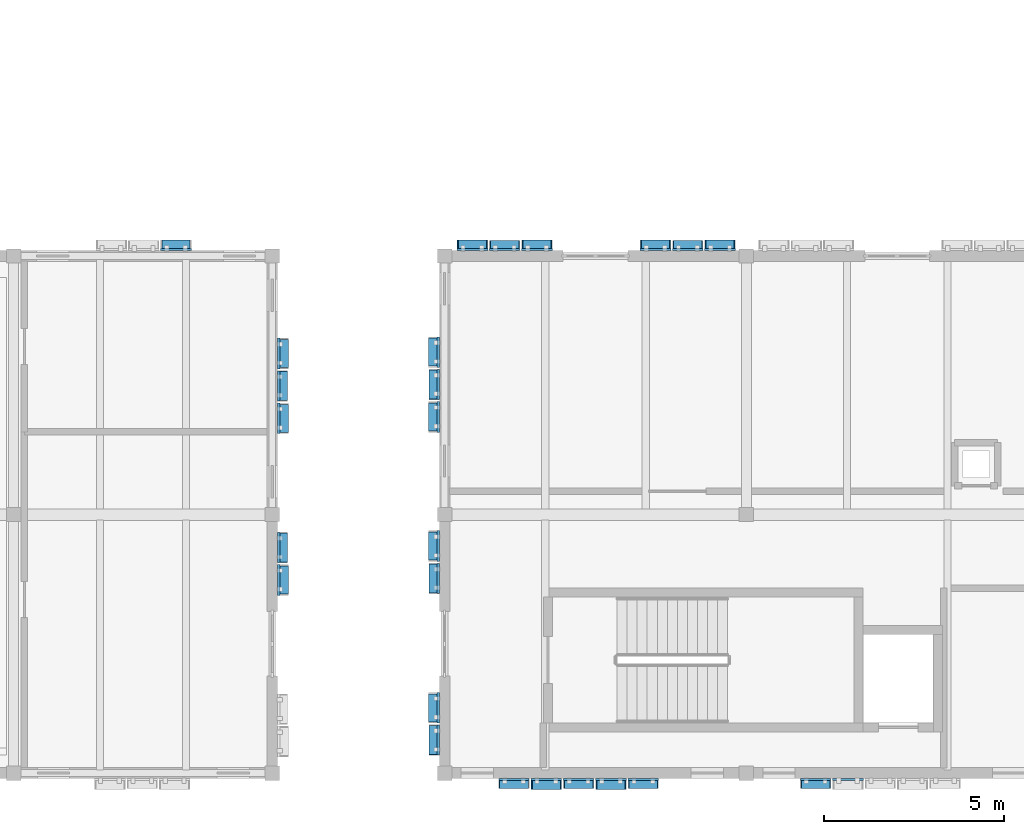
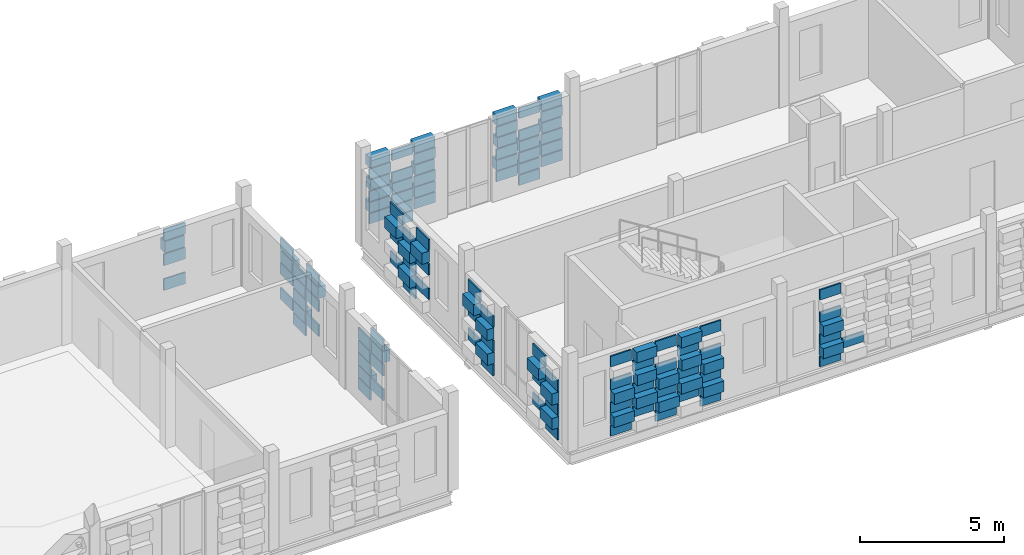
# One storey, part 47 of 81: 130 plates.
"""IFC4 building model written with IfcOpenShell, lengths in metres."""

from ifc_helpers import new_model, si_unit, direction, frame, origin, origin_2d, place, context, subcontext, project, spatial, rectangle, extrude, material, layer, layer_set, type_object, element, save


model = new_model("IFC4")

# Units and contexts
model_context = context("Model", 3, precision=1e-05, world=origin(), true_north=direction((0.0, 1.0)))
body_context = subcontext(model_context, "Body", "Model", "MODEL_VIEW")
ifc_project = project(units=[si_unit("LENGTHUNIT", "METRE"), si_unit("AREAUNIT", "SQUARE_METRE"), si_unit("VOLUMEUNIT", "CUBIC_METRE"), si_unit("PLANEANGLEUNIT", "RADIAN"), si_unit("MASSUNIT", "GRAM", prefix="KILO")], contexts=[model_context])

# Site, building, storey
site_placement = place(None, origin())
site = spatial("IfcSite", under=ifc_project, at=site_placement, CompositionType="ELEMENT")
building_placement = place(site_placement, origin())
building = spatial("IfcBuilding", under=site, at=building_placement, Name="Kahlenmark Community Centre", CompositionType="ELEMENT")
storey_placement = place(building_placement, frame((0.0, 0.0, 9.60009765625)))
storey = spatial("IfcBuildingStorey", under=building, at=storey_placement, Name="L02", CompositionType="ELEMENT", Elevation=9.60009765625)

# Plates
ifc_material_1 = material(Name="Extruded warm terracotta recessed weave tile", Category="masonry")
ifc_layer_1 = layer(ifc_material_1, 0.06005859375)
ifc_layer_set_1 = layer_set([ifc_layer_1], Name="Extruded warm terracotta recessed weave tile")
plate_type_1 = type_object("IfcPlateType", Name="PLT-TC-TC-R10-840X60X433", PredefinedType="SHEET", material=ifc_layer_set_1)
for number, where, z_axis, x_axis, name in (
    (1, (101.929931640625, 8.6201171875, 0.099853515625), (0.0, 0.0, 1.0), (1.0, 0.0, 0.0), "Basketweave terracotta cassette 3102"),
    (2, (101.929931640625, 8.6201171875, 1.0458984375), (0.0, 0.0, 1.0), (1.0, 0.0, 0.0), "Basketweave terracotta cassette 3104"),
    (3, (101.929931640625, 8.6201171875, 1.991943359375), (0.0, 0.0, 1.0), (1.0, 0.0, 0.0), "Basketweave terracotta cassette 3106"),
    (4, (101.929931640625, 8.6201171875, 2.937744140625), (0.0, 0.0, 1.0), (1.0, 0.0, 0.0), "Basketweave terracotta cassette 3108"),
    (5, (98.3701171875, 23.3798828125, 0.099853515625), (0.0, 0.0, 1.0), (-1.0, 0.0, 0.0), "Basketweave terracotta cassette 3186"),
    (6, (98.3701171875, 23.3798828125, 1.0458984375), (0.0, 0.0, 1.0), (-1.0, 0.0, 0.0), "Basketweave terracotta cassette 3188"),
    (7, (98.3701171875, 23.3798828125, 1.991943359375), (0.0, 0.0, 1.0), (-1.0, 0.0, 0.0), "Basketweave terracotta cassette 3190"),
    (8, (98.3701171875, 23.3798828125, 2.937744140625), (0.0, 0.0, 1.0), (-1.0, 0.0, 0.0), "Basketweave terracotta cassette 3192"),
    (9, (93.27001953125, 23.3798828125, 0.099853515625), (0.0, 0.0, 1.0), (-1.0, 0.0, 0.0), "Basketweave terracotta cassette 3207"),
    (10, (93.27001953125, 23.3798828125, 1.0458984375), (0.0, 0.0, 1.0), (-1.0, 0.0, 0.0), "Basketweave terracotta cassette 3209"),
    (11, (93.27001953125, 23.3798828125, 1.991943359375), (0.0, 0.0, 1.0), (-1.0, 0.0, 0.0), "Basketweave terracotta cassette 3211"),
    (12, (93.27001953125, 23.3798828125, 2.937744140625), (0.0, 0.0, 1.0), (-1.0, 0.0, 0.0), "Basketweave terracotta cassette 3213"),
):
    element("IfcPlate", number, at=place(storey_placement, frame(where, z_axis=z_axis, x_axis=x_axis)), inside=storey, type_object=plate_type_1, Name=name, PredefinedType="SHEET", context=body_context, shape_type="SweptSolid", body=[
        extrude(rectangle(XDim=0.840087890625, YDim=0.06005859375, at=origin_2d()), origin(), (0.0, 0.0, 1.0), 0.43310546875),
    ])
ifc_layer_2 = layer(ifc_material_1, 0.06005859375)
ifc_layer_set_2 = layer_set([ifc_layer_2], Name="Extruded warm terracotta recessed weave tile")
plate_type_2 = type_object("IfcPlateType", Name="PLT-TC-TC-R10-840X60X450", PredefinedType="SHEET", material=ifc_layer_set_2)
for number, where, z_axis, x_axis, name in (
    (13, (93.530029296875, 8.6201171875, 0.10009765625), (0.0, 0.0, 1.0), (1.0, 0.0, 0.0), "Basketweave terracotta cassette 3067"),
    (14, (93.530029296875, 8.6201171875, 1.080078125), (0.0, 0.0, 1.0), (1.0, 0.0, 0.0), "Basketweave terracotta cassette 3069"),
    (15, (93.530029296875, 8.6201171875, 2.06005859375), (0.0, 0.0, 1.0), (1.0, 0.0, 0.0), "Basketweave terracotta cassette 3071"),
    (16, (93.530029296875, 8.6201171875, 3.0400390625), (0.0, 0.0, 1.0), (1.0, 0.0, 0.0), "Basketweave terracotta cassette 3073"),
    (17, (95.330078125, 8.6201171875, 0.10009765625), (0.0, 0.0, 1.0), (1.0, 0.0, 0.0), "Basketweave terracotta cassette 3081"),
    (18, (95.330078125, 8.6201171875, 1.080078125), (0.0, 0.0, 1.0), (1.0, 0.0, 0.0), "Basketweave terracotta cassette 3083"),
    (19, (95.330078125, 8.6201171875, 2.06005859375), (0.0, 0.0, 1.0), (1.0, 0.0, 0.0), "Basketweave terracotta cassette 3085"),
    (20, (95.330078125, 8.6201171875, 3.0400390625), (0.0, 0.0, 1.0), (1.0, 0.0, 0.0), "Basketweave terracotta cassette 3087"),
    (21, (97.1298828125, 8.6201171875, 0.10009765625), (0.0, 0.0, 1.0), (1.0, 0.0, 0.0), "Basketweave terracotta cassette 3095"),
    (22, (97.1298828125, 8.6201171875, 1.080078125), (0.0, 0.0, 1.0), (1.0, 0.0, 0.0), "Basketweave terracotta cassette 3097"),
    (23, (97.1298828125, 8.6201171875, 2.06005859375), (0.0, 0.0, 1.0), (1.0, 0.0, 0.0), "Basketweave terracotta cassette 3099"),
    (24, (97.1298828125, 8.6201171875, 3.0400390625), (0.0, 0.0, 1.0), (1.0, 0.0, 0.0), "Basketweave terracotta cassette 3101"),
):
    element("IfcPlate", number, at=place(storey_placement, frame(where, z_axis=z_axis, x_axis=x_axis)), inside=storey, type_object=plate_type_2, Name=name, PredefinedType="SHEET", context=body_context, shape_type="SweptSolid", body=[
        extrude(rectangle(XDim=0.840087890625, YDim=0.06005859375, at=origin_2d()), origin(), (0.0, 0.0, 1.0), 0.449951171875),
    ])
ifc_layer_3 = layer(ifc_material_1, 0.06005859375)
ifc_layer_set_3 = layer_set([ifc_layer_3], Name="Extruded warm terracotta recessed weave tile")
plate_type_3 = type_object("IfcPlateType", Name="PLT-TC-TC-R10-840X60X478", PredefinedType="SHEET", material=ifc_layer_set_3)
for number, where, z_axis, x_axis, name in (
    (25, (91.419921875, 14.219970703125, 0.099853515625), (0.0, 0.0, 1.0), (0.0, -1.0, 0.0), "Basketweave terracotta cassette 3304"),
    (26, (91.419921875, 14.219970703125, 1.135986328125), (0.0, 0.0, 1.0), (0.0, -1.0, 0.0), "Basketweave terracotta cassette 3306"),
    (27, (91.419921875, 14.219970703125, 2.171875), (0.0, 0.0, 1.0), (0.0, -1.0, 0.0), "Basketweave terracotta cassette 3308"),
    (28, (91.419921875, 9.719970703125, 0.099853515625), (0.0, 0.0, 1.0), (0.0, -1.0, 0.0), "Basketweave terracotta cassette 3316"),
    (29, (91.419921875, 9.719970703125, 1.135986328125), (0.0, 0.0, 1.0), (0.0, -1.0, 0.0), "Basketweave terracotta cassette 3318"),
    (30, (91.419921875, 9.719970703125, 2.171875), (0.0, 0.0, 1.0), (0.0, -1.0, 0.0), "Basketweave terracotta cassette 3320"),
    (31, (91.419921875, 19.6201171875, 0.099853515625), (0.0, 0.0, 1.0), (0.0, -1.0, 0.0), "Basketweave terracotta cassette 3328"),
    (32, (91.419921875, 19.6201171875, 1.135986328125), (0.0, 0.0, 1.0), (0.0, -1.0, 0.0), "Basketweave terracotta cassette 3330"),
    (33, (91.419921875, 19.6201171875, 2.171875), (0.0, 0.0, 1.0), (0.0, -1.0, 0.0), "Basketweave terracotta cassette 3332"),
):
    element("IfcPlate", number, at=place(storey_placement, frame(where, z_axis=z_axis, x_axis=x_axis)), inside=storey, type_object=plate_type_3, Name=name, PredefinedType="SHEET", context=body_context, shape_type="SweptSolid", body=[
        extrude(rectangle(XDim=0.840087890625, YDim=0.06005859375, at=origin_2d()), origin(), (0.0, 0.0, 1.0), 0.47802734375),
    ])
ifc_layer_4 = layer(ifc_material_1, 0.06005859375)
ifc_layer_set_4 = layer_set([ifc_layer_4], Name="Extruded warm terracotta recessed weave tile")
plate_type_4 = type_object("IfcPlateType", Name="PLT-TC-TC-R10-840X60X488", PredefinedType="SHEET", material=ifc_layer_set_4)
for number, where, z_axis, x_axis, name in (
    (34, (86.97998046875, 15.080078125, 0.10009765625), (0.0, 0.0, 1.0), (0.0, 1.0, 0.0), "Basketweave terracotta cassette 3043"),
    (35, (86.97998046875, 15.080078125, 1.15576171875), (0.0, 0.0, 1.0), (0.0, 1.0, 0.0), "Basketweave terracotta cassette 3045"),
    (36, (86.97998046875, 15.080078125, 2.2119140625), (0.0, 0.0, 1.0), (0.0, 1.0, 0.0), "Basketweave terracotta cassette 3047"),
    (37, (86.97998046875, 19.580078125, 0.10009765625), (0.0, 0.0, 1.0), (0.0, 1.0, 0.0), "Basketweave terracotta cassette 3055"),
    (38, (86.97998046875, 19.580078125, 1.15576171875), (0.0, 0.0, 1.0), (0.0, 1.0, 0.0), "Basketweave terracotta cassette 3057"),
    (39, (86.97998046875, 19.580078125, 2.2119140625), (0.0, 0.0, 1.0), (0.0, 1.0, 0.0), "Basketweave terracotta cassette 3059"),
):
    element("IfcPlate", number, at=place(storey_placement, frame(where, z_axis=z_axis, x_axis=x_axis)), inside=storey, type_object=plate_type_4, Name=name, PredefinedType="SHEET", context=body_context, shape_type="SweptSolid", body=[
        extrude(rectangle(XDim=0.840087890625, YDim=0.06005859375, at=origin_2d()), origin(), (0.0, 0.0, 1.0), 0.488037109375),
    ])
ifc_layer_5 = layer(ifc_material_1, 0.06005859375)
ifc_layer_set_5 = layer_set([ifc_layer_5], Name="Extruded warm terracotta recessed weave tile")
plate_type_5 = type_object("IfcPlateType", Name="PLT-TC-TC-R10-860X60X433", PredefinedType="SHEET", material=ifc_layer_set_5)
for number, where, z_axis, x_axis, name in (
    (40, (102.830078125, 8.6201171875, 0.57275390625), (0.0, 0.0, 1.0), (1.0, 0.0, 0.0), "Basketweave terracotta cassette 3110"),
    (41, (99.27001953125, 23.3798828125, 0.57275390625), (0.0, 0.0, 1.0), (-1.0, 0.0, 0.0), "Basketweave terracotta cassette 3180"),
    (42, (99.27001953125, 23.3798828125, 1.518798828125), (0.0, 0.0, 1.0), (-1.0, 0.0, 0.0), "Basketweave terracotta cassette 3182"),
    (43, (99.27001953125, 23.3798828125, 2.46484375), (0.0, 0.0, 1.0), (-1.0, 0.0, 0.0), "Basketweave terracotta cassette 3184"),
    (44, (97.469970703125, 23.3798828125, 0.57275390625), (0.0, 0.0, 1.0), (-1.0, 0.0, 0.0), "Basketweave terracotta cassette 3194"),
    (45, (97.469970703125, 23.3798828125, 1.518798828125), (0.0, 0.0, 1.0), (-1.0, 0.0, 0.0), "Basketweave terracotta cassette 3196"),
    (46, (97.469970703125, 23.3798828125, 2.46484375), (0.0, 0.0, 1.0), (-1.0, 0.0, 0.0), "Basketweave terracotta cassette 3198"),
    (47, (94.169921875, 23.3798828125, 0.57275390625), (0.0, 0.0, 1.0), (-1.0, 0.0, 0.0), "Basketweave terracotta cassette 3201"),
    (48, (94.169921875, 23.3798828125, 1.518798828125), (0.0, 0.0, 1.0), (-1.0, 0.0, 0.0), "Basketweave terracotta cassette 3203"),
    (49, (94.169921875, 23.3798828125, 2.46484375), (0.0, 0.0, 1.0), (-1.0, 0.0, 0.0), "Basketweave terracotta cassette 3205"),
    (50, (92.3701171875, 23.3798828125, 0.57275390625), (0.0, 0.0, 1.0), (-1.0, 0.0, 0.0), "Basketweave terracotta cassette 3215"),
    (51, (92.3701171875, 23.3798828125, 1.518798828125), (0.0, 0.0, 1.0), (-1.0, 0.0, 0.0), "Basketweave terracotta cassette 3217"),
    (52, (92.3701171875, 23.3798828125, 2.46484375), (0.0, 0.0, 1.0), (-1.0, 0.0, 0.0), "Basketweave terracotta cassette 3219"),
):
    element("IfcPlate", number, at=place(storey_placement, frame(where, z_axis=z_axis, x_axis=x_axis)), inside=storey, type_object=plate_type_5, Name=name, PredefinedType="SHEET", context=body_context, shape_type="SweptSolid", body=[
        extrude(rectangle(XDim=0.860107421875, YDim=0.06005859375, at=origin_2d()), origin(), (0.0, 0.0, 1.0), 0.43310546875),
    ])
ifc_layer_6 = layer(ifc_material_1, 0.06005859375)
ifc_layer_set_6 = layer_set([ifc_layer_6], Name="Extruded warm terracotta recessed weave tile")
plate_type_6 = type_object("IfcPlateType", Name="PLT-TC-TC-R10-860X60X450", PredefinedType="SHEET", material=ifc_layer_set_6)
for number, where, z_axis, x_axis, name in (
    (53, (94.429931640625, 8.6201171875, 0.58984375), (0.0, 0.0, 1.0), (1.0, 0.0, 0.0), "Basketweave terracotta cassette 3075"),
    (54, (94.429931640625, 8.6201171875, 1.56982421875), (0.0, 0.0, 1.0), (1.0, 0.0, 0.0), "Basketweave terracotta cassette 3077"),
    (55, (94.429931640625, 8.6201171875, 2.5498046875), (0.0, 0.0, 1.0), (1.0, 0.0, 0.0), "Basketweave terracotta cassette 3079"),
    (56, (96.22998046875, 8.6201171875, 0.58984375), (0.0, 0.0, 1.0), (1.0, 0.0, 0.0), "Basketweave terracotta cassette 3089"),
    (57, (96.22998046875, 8.6201171875, 1.56982421875), (0.0, 0.0, 1.0), (1.0, 0.0, 0.0), "Basketweave terracotta cassette 3091"),
    (58, (96.22998046875, 8.6201171875, 2.5498046875), (0.0, 0.0, 1.0), (1.0, 0.0, 0.0), "Basketweave terracotta cassette 3093"),
):
    element("IfcPlate", number, at=place(storey_placement, frame(where, z_axis=z_axis, x_axis=x_axis)), inside=storey, type_object=plate_type_6, Name=name, PredefinedType="SHEET", context=body_context, shape_type="SweptSolid", body=[
        extrude(rectangle(XDim=0.860107421875, YDim=0.06005859375, at=origin_2d()), origin(), (0.0, 0.0, 1.0), 0.449951171875),
    ])
ifc_layer_7 = layer(ifc_material_1, 0.06005859375)
ifc_layer_set_7 = layer_set([ifc_layer_7], Name="Extruded warm terracotta recessed weave tile")
plate_type_7 = type_object("IfcPlateType", Name="PLT-TC-TC-R10-860X60X478", PredefinedType="SHEET", material=ifc_layer_set_7)
for number, where, z_axis, x_axis, name in (
    (59, (91.419921875, 15.1201171875, 0.617919921875), (0.0, 0.0, 1.0), (0.0, -1.0, 0.0), "Basketweave terracotta cassette 3299"),
    (60, (91.419921875, 15.1201171875, 1.65380859375), (0.0, 0.0, 1.0), (0.0, -1.0, 0.0), "Basketweave terracotta cassette 3301"),
    (61, (91.419921875, 15.1201171875, 2.68994140625), (0.0, 0.0, 1.0), (0.0, -1.0, 0.0), "Basketweave terracotta cassette 3303"),
    (62, (91.419921875, 10.6201171875, 0.617919921875), (0.0, 0.0, 1.0), (0.0, -1.0, 0.0), "Basketweave terracotta cassette 3311"),
    (63, (91.419921875, 10.6201171875, 1.65380859375), (0.0, 0.0, 1.0), (0.0, -1.0, 0.0), "Basketweave terracotta cassette 3313"),
    (64, (91.419921875, 10.6201171875, 2.68994140625), (0.0, 0.0, 1.0), (0.0, -1.0, 0.0), "Basketweave terracotta cassette 3315"),
    (65, (91.419921875, 20.52001953125, 0.617919921875), (0.0, 0.0, 1.0), (0.0, -1.0, 0.0), "Basketweave terracotta cassette 3323"),
    (66, (91.419921875, 20.52001953125, 1.65380859375), (0.0, 0.0, 1.0), (0.0, -1.0, 0.0), "Basketweave terracotta cassette 3325"),
    (67, (91.419921875, 20.52001953125, 2.68994140625), (0.0, 0.0, 1.0), (0.0, -1.0, 0.0), "Basketweave terracotta cassette 3327"),
    (68, (91.419921875, 18.719970703125, 0.617919921875), (0.0, 0.0, 1.0), (0.0, -1.0, 0.0), "Basketweave terracotta cassette 3335"),
    (69, (91.419921875, 18.719970703125, 1.65380859375), (0.0, 0.0, 1.0), (0.0, -1.0, 0.0), "Basketweave terracotta cassette 3337"),
    (70, (91.419921875, 18.719970703125, 2.68994140625), (0.0, 0.0, 1.0), (0.0, -1.0, 0.0), "Basketweave terracotta cassette 3339"),
):
    element("IfcPlate", number, at=place(storey_placement, frame(where, z_axis=z_axis, x_axis=x_axis)), inside=storey, type_object=plate_type_7, Name=name, PredefinedType="SHEET", context=body_context, shape_type="SweptSolid", body=[
        extrude(rectangle(XDim=0.860107421875, YDim=0.06005859375, at=origin_2d()), origin(), (0.0, 0.0, 1.0), 0.47802734375),
    ])
ifc_layer_8 = layer(ifc_material_1, 0.06005859375)
ifc_layer_set_8 = layer_set([ifc_layer_8], Name="Extruded warm terracotta recessed weave tile")
plate_type_8 = type_object("IfcPlateType", Name="PLT-TC-TC-R10-860X60X488", PredefinedType="SHEET", material=ifc_layer_set_8)
for number, where, z_axis, x_axis, name in (
    (71, (84.1201171875, 23.3798828125, 0.6279296875), (0.0, 0.0, 1.0), (-1.0, 0.0, 0.0), "Basketweave terracotta cassette 2966"),
    (72, (84.1201171875, 23.3798828125, 1.68408203125), (0.0, 0.0, 1.0), (-1.0, 0.0, 0.0), "Basketweave terracotta cassette 2968"),
    (73, (84.1201171875, 23.3798828125, 2.73974609375), (0.0, 0.0, 1.0), (-1.0, 0.0, 0.0), "Basketweave terracotta cassette 2970"),
    (74, (86.97998046875, 14.179931640625, 0.6279296875), (0.0, 0.0, 1.0), (0.0, 1.0, 0.0), "Basketweave terracotta cassette 3038"),
    (75, (86.97998046875, 14.179931640625, 1.68408203125), (0.0, 0.0, 1.0), (0.0, 1.0, 0.0), "Basketweave terracotta cassette 3040"),
    (76, (86.97998046875, 14.179931640625, 2.73974609375), (0.0, 0.0, 1.0), (0.0, 1.0, 0.0), "Basketweave terracotta cassette 3042"),
    (77, (86.97998046875, 18.679931640625, 0.6279296875), (0.0, 0.0, 1.0), (0.0, 1.0, 0.0), "Basketweave terracotta cassette 3050"),
    (78, (86.97998046875, 18.679931640625, 1.68408203125), (0.0, 0.0, 1.0), (0.0, 1.0, 0.0), "Basketweave terracotta cassette 3052"),
    (79, (86.97998046875, 18.679931640625, 2.73974609375), (0.0, 0.0, 1.0), (0.0, 1.0, 0.0), "Basketweave terracotta cassette 3054"),
    (80, (86.97998046875, 20.47998046875, 0.6279296875), (0.0, 0.0, 1.0), (0.0, 1.0, 0.0), "Basketweave terracotta cassette 3062"),
    (81, (86.97998046875, 20.47998046875, 1.68408203125), (0.0, 0.0, 1.0), (0.0, 1.0, 0.0), "Basketweave terracotta cassette 3064"),
    (82, (86.97998046875, 20.47998046875, 2.73974609375), (0.0, 0.0, 1.0), (0.0, 1.0, 0.0), "Basketweave terracotta cassette 3066"),
):
    element("IfcPlate", number, at=place(storey_placement, frame(where, z_axis=z_axis, x_axis=x_axis)), inside=storey, type_object=plate_type_8, Name=name, PredefinedType="SHEET", context=body_context, shape_type="SweptSolid", body=[
        extrude(rectangle(XDim=0.860107421875, YDim=0.06005859375, at=origin_2d()), origin(), (0.0, 0.0, 1.0), 0.488037109375),
    ])
ifc_material_2 = material(Name="Extruded glazed terracotta weave cassette", Category="masonry")
ifc_layer_9 = layer(ifc_material_2, 0.300048828125)
ifc_layer_set_9 = layer_set([ifc_layer_9], Name="Extruded glazed terracotta weave cassette")
plate_type_9 = type_object("IfcPlateType", Name="PLT-TC-TC-R34-780X300X433", PredefinedType="SHEET", material=ifc_layer_set_9)
for number, where, z_axis, x_axis, name in (
    (83, (99.27001953125, 23.5, 1.991943359375), (0.0, 0.0, 1.0), (-1.0, 0.0, 0.0), "Basketweave terracotta cassette 3183"),
    (84, (97.469970703125, 23.5, 1.991943359375), (0.0, 0.0, 1.0), (-1.0, 0.0, 0.0), "Basketweave terracotta cassette 3197"),
    (85, (94.169921875, 23.5, 1.991943359375), (0.0, 0.0, 1.0), (-1.0, 0.0, 0.0), "Basketweave terracotta cassette 3204"),
    (86, (92.3701171875, 23.5, 1.991943359375), (0.0, 0.0, 1.0), (-1.0, 0.0, 0.0), "Basketweave terracotta cassette 3218"),
):
    element("IfcPlate", number, at=place(storey_placement, frame(where, z_axis=z_axis, x_axis=x_axis)), inside=storey, type_object=plate_type_9, Name=name, PredefinedType="SHEET", context=body_context, shape_type="SweptSolid", body=[
        extrude(rectangle(XDim=0.780029296875, YDim=0.300048828125, at=origin_2d()), origin(), (0.0, 0.0, 1.0), 0.43310546875),
    ])
ifc_layer_10 = layer(ifc_material_2, 0.300048828125)
ifc_layer_set_10 = layer_set([ifc_layer_10], Name="Extruded glazed terracotta weave cassette")
plate_type_10 = type_object("IfcPlateType", Name="PLT-TC-TC-R34-780X300X450", PredefinedType="SHEET", material=ifc_layer_set_10)
for number, where, z_axis, x_axis, name in (
    (87, (94.429931640625, 8.5, 2.06005859375), (0.0, 0.0, 1.0), (1.0, 0.0, 0.0), "Basketweave terracotta cassette 3078"),
    (88, (96.22998046875, 8.5, 2.06005859375), (0.0, 0.0, 1.0), (1.0, 0.0, 0.0), "Basketweave terracotta cassette 3092"),
):
    element("IfcPlate", number, at=place(storey_placement, frame(where, z_axis=z_axis, x_axis=x_axis)), inside=storey, type_object=plate_type_10, Name=name, PredefinedType="SHEET", context=body_context, shape_type="SweptSolid", body=[
        extrude(rectangle(XDim=0.780029296875, YDim=0.300048828125, at=origin_2d()), origin(), (0.0, 0.0, 1.0), 0.449951171875),
    ])
ifc_layer_11 = layer(ifc_material_2, 0.300048828125)
ifc_layer_set_11 = layer_set([ifc_layer_11], Name="Extruded glazed terracotta weave cassette")
plate_type_11 = type_object("IfcPlateType", Name="PLT-TC-TC-R34-780X300X478", PredefinedType="SHEET", material=ifc_layer_set_11)
for number, where, z_axis, x_axis, name in (
    (89, (91.300048828125, 15.1201171875, 2.171875), (0.0, 0.0, 1.0), (0.0, -1.0, 0.0), "Basketweave terracotta cassette 3302"),
    (90, (91.300048828125, 10.6201171875, 2.171875), (0.0, 0.0, 1.0), (0.0, -1.0, 0.0), "Basketweave terracotta cassette 3314"),
    (91, (91.300048828125, 20.52001953125, 2.171875), (0.0, 0.0, 1.0), (0.0, -1.0, 0.0), "Basketweave terracotta cassette 3326"),
    (92, (91.300048828125, 18.719970703125, 2.171875), (0.0, 0.0, 1.0), (0.0, -1.0, 0.0), "Basketweave terracotta cassette 3338"),
):
    element("IfcPlate", number, at=place(storey_placement, frame(where, z_axis=z_axis, x_axis=x_axis)), inside=storey, type_object=plate_type_11, Name=name, PredefinedType="SHEET", context=body_context, shape_type="SweptSolid", body=[
        extrude(rectangle(XDim=0.780029296875, YDim=0.300048828125, at=origin_2d()), origin(), (0.0, 0.0, 1.0), 0.47802734375),
    ])
ifc_layer_12 = layer(ifc_material_2, 0.300048828125)
ifc_layer_set_12 = layer_set([ifc_layer_12], Name="Extruded glazed terracotta weave cassette")
plate_type_12 = type_object("IfcPlateType", Name="PLT-TC-TC-R34-780X300X488", PredefinedType="SHEET", material=ifc_layer_set_12)
for number, where, z_axis, x_axis, name in (
    (93, (84.1201171875, 23.5, 2.2119140625), (0.0, 0.0, 1.0), (-1.0, 0.0, 0.0), "Basketweave terracotta cassette 2969"),
    (94, (87.10009765625, 14.179931640625, 2.2119140625), (0.0, 0.0, 1.0), (0.0, 1.0, 0.0), "Basketweave terracotta cassette 3041"),
    (95, (87.10009765625, 18.679931640625, 2.2119140625), (0.0, 0.0, 1.0), (0.0, 1.0, 0.0), "Basketweave terracotta cassette 3053"),
    (96, (87.10009765625, 20.47998046875, 2.2119140625), (0.0, 0.0, 1.0), (0.0, 1.0, 0.0), "Basketweave terracotta cassette 3065"),
):
    element("IfcPlate", number, at=place(storey_placement, frame(where, z_axis=z_axis, x_axis=x_axis)), inside=storey, type_object=plate_type_12, Name=name, PredefinedType="SHEET", context=body_context, shape_type="SweptSolid", body=[
        extrude(rectangle(XDim=0.780029296875, YDim=0.300048828125, at=origin_2d()), origin(), (0.0, 0.0, 1.0), 0.488037109375),
    ])
ifc_layer_13 = layer(ifc_material_2, 0.300048828125)
ifc_layer_set_13 = layer_set([ifc_layer_13], Name="Extruded glazed terracotta weave cassette")
plate_type_13 = type_object("IfcPlateType", Name="PLT-TC-TC-R34-820X300X433", PredefinedType="SHEET", material=ifc_layer_set_13)
for number, where, z_axis, x_axis, name in (
    (97, (99.27001953125, 23.5, 2.937744140625), (0.0, 0.0, 1.0), (-1.0, 0.0, 0.0), "Basketweave terracotta cassette 3185"),
    (98, (97.469970703125, 23.5, 2.937744140625), (0.0, 0.0, 1.0), (-1.0, 0.0, 0.0), "Basketweave terracotta cassette 3199"),
    (99, (94.169921875, 23.5, 2.937744140625), (0.0, 0.0, 1.0), (-1.0, 0.0, 0.0), "Basketweave terracotta cassette 3206"),
    (100, (92.3701171875, 23.5, 2.937744140625), (0.0, 0.0, 1.0), (-1.0, 0.0, 0.0), "Basketweave terracotta cassette 3220"),
):
    element("IfcPlate", number, at=place(storey_placement, frame(where, z_axis=z_axis, x_axis=x_axis)), inside=storey, type_object=plate_type_13, Name=name, PredefinedType="SHEET", context=body_context, shape_type="SweptSolid", body=[
        extrude(rectangle(XDim=0.820068359375, YDim=0.300048828125, at=origin_2d()), origin(), (0.0, 0.0, 1.0), 0.43310546875),
    ])
ifc_layer_14 = layer(ifc_material_2, 0.300048828125)
ifc_layer_set_14 = layer_set([ifc_layer_14], Name="Extruded glazed terracotta weave cassette")
plate_type_14 = type_object("IfcPlateType", Name="PLT-TC-TC-R34-820X300X450", PredefinedType="SHEET", material=ifc_layer_set_14)
for number, where, z_axis, x_axis, name in (
    (101, (94.429931640625, 8.5, 3.0400390625), (0.0, 0.0, 1.0), (1.0, 0.0, 0.0), "Basketweave terracotta cassette 3080"),
    (102, (96.22998046875, 8.5, 3.0400390625), (0.0, 0.0, 1.0), (1.0, 0.0, 0.0), "Basketweave terracotta cassette 3094"),
):
    element("IfcPlate", number, at=place(storey_placement, frame(where, z_axis=z_axis, x_axis=x_axis)), inside=storey, type_object=plate_type_14, Name=name, PredefinedType="SHEET", context=body_context, shape_type="SweptSolid", body=[
        extrude(rectangle(XDim=0.820068359375, YDim=0.300048828125, at=origin_2d()), origin(), (0.0, 0.0, 1.0), 0.449951171875),
    ])
ifc_layer_15 = layer(ifc_material_2, 0.300048828125)
ifc_layer_set_15 = layer_set([ifc_layer_15], Name="Extruded glazed terracotta weave cassette")
plate_type_15 = type_object("IfcPlateType", Name="PLT-TC-TC-R34-840X300X433", PredefinedType="SHEET", material=ifc_layer_set_15)
for number, where, z_axis, x_axis, name in (
    (103, (99.27001953125, 23.5, 1.0458984375), (0.0, 0.0, 1.0), (-1.0, 0.0, 0.0), "Basketweave terracotta cassette 3181"),
    (104, (97.469970703125, 23.5, 1.0458984375), (0.0, 0.0, 1.0), (-1.0, 0.0, 0.0), "Basketweave terracotta cassette 3195"),
    (105, (94.169921875, 23.5, 1.0458984375), (0.0, 0.0, 1.0), (-1.0, 0.0, 0.0), "Basketweave terracotta cassette 3202"),
    (106, (92.3701171875, 23.5, 1.0458984375), (0.0, 0.0, 1.0), (-1.0, 0.0, 0.0), "Basketweave terracotta cassette 3216"),
):
    element("IfcPlate", number, at=place(storey_placement, frame(where, z_axis=z_axis, x_axis=x_axis)), inside=storey, type_object=plate_type_15, Name=name, PredefinedType="SHEET", context=body_context, shape_type="SweptSolid", body=[
        extrude(rectangle(XDim=0.840087890625, YDim=0.300048828125, at=origin_2d()), origin(), (0.0, 0.0, 1.0), 0.43310546875),
    ])
ifc_layer_16 = layer(ifc_material_2, 0.300048828125)
ifc_layer_set_16 = layer_set([ifc_layer_16], Name="Extruded glazed terracotta weave cassette")
plate_type_16 = type_object("IfcPlateType", Name="PLT-TC-TC-R34-840X300X450", PredefinedType="SHEET", material=ifc_layer_set_16)
for number, where, z_axis, x_axis, name in (
    (107, (94.429931640625, 8.5, 1.080078125), (0.0, 0.0, 1.0), (1.0, 0.0, 0.0), "Basketweave terracotta cassette 3076"),
    (108, (96.22998046875, 8.5, 1.080078125), (0.0, 0.0, 1.0), (1.0, 0.0, 0.0), "Basketweave terracotta cassette 3090"),
):
    element("IfcPlate", number, at=place(storey_placement, frame(where, z_axis=z_axis, x_axis=x_axis)), inside=storey, type_object=plate_type_16, Name=name, PredefinedType="SHEET", context=body_context, shape_type="SweptSolid", body=[
        extrude(rectangle(XDim=0.840087890625, YDim=0.300048828125, at=origin_2d()), origin(), (0.0, 0.0, 1.0), 0.449951171875),
    ])
ifc_layer_17 = layer(ifc_material_2, 0.280029296875)
ifc_layer_set_17 = layer_set([ifc_layer_17], Name="Extruded glazed terracotta weave cassette")
plate_type_17 = type_object("IfcPlateType", Name="PLT-TC-TC-W30-800X280X433", PredefinedType="SHEET", material=ifc_layer_set_17)
for number, where, z_axis, x_axis, name in (
    (109, (101.929931640625, 8.510009765625, 1.518798828125), (0.0, 0.0, 1.0), (1.0, 0.0, 0.0), "Basketweave terracotta cassette 3105"),
    (110, (98.3701171875, 23.489990234375, 1.518798828125), (0.0, 0.0, 1.0), (-1.0, 0.0, 0.0), "Basketweave terracotta cassette 3189"),
    (111, (93.27001953125, 23.489990234375, 1.518798828125), (0.0, 0.0, 1.0), (-1.0, 0.0, 0.0), "Basketweave terracotta cassette 3210"),
):
    element("IfcPlate", number, at=place(storey_placement, frame(where, z_axis=z_axis, x_axis=x_axis)), inside=storey, type_object=plate_type_17, Name=name, PredefinedType="SHEET", context=body_context, shape_type="SweptSolid", body=[
        extrude(rectangle(XDim=0.800048828125, YDim=0.280029296875, at=origin_2d()), origin(), (0.0, 0.0, 1.0), 0.43310546875),
    ])
ifc_layer_18 = layer(ifc_material_2, 0.280029296875)
ifc_layer_set_18 = layer_set([ifc_layer_18], Name="Extruded glazed terracotta weave cassette")
plate_type_18 = type_object("IfcPlateType", Name="PLT-TC-TC-W30-800X280X450", PredefinedType="SHEET", material=ifc_layer_set_18)
for number, where, z_axis, x_axis, name in (
    (112, (93.530029296875, 8.510009765625, 1.56982421875), (0.0, 0.0, 1.0), (1.0, 0.0, 0.0), "Basketweave terracotta cassette 3070"),
    (113, (95.330078125, 8.510009765625, 1.56982421875), (0.0, 0.0, 1.0), (1.0, 0.0, 0.0), "Basketweave terracotta cassette 3084"),
    (114, (97.1298828125, 8.510009765625, 1.56982421875), (0.0, 0.0, 1.0), (1.0, 0.0, 0.0), "Basketweave terracotta cassette 3098"),
):
    element("IfcPlate", number, at=place(storey_placement, frame(where, z_axis=z_axis, x_axis=x_axis)), inside=storey, type_object=plate_type_18, Name=name, PredefinedType="SHEET", context=body_context, shape_type="SweptSolid", body=[
        extrude(rectangle(XDim=0.800048828125, YDim=0.280029296875, at=origin_2d()), origin(), (0.0, 0.0, 1.0), 0.449951171875),
    ])
ifc_layer_19 = layer(ifc_material_2, 0.280029296875)
ifc_layer_set_19 = layer_set([ifc_layer_19], Name="Extruded glazed terracotta weave cassette")
plate_type_19 = type_object("IfcPlateType", Name="PLT-TC-TC-W30-800X280X478", PredefinedType="SHEET", material=ifc_layer_set_19)
for number, where, z_axis, x_axis, name in (
    (115, (91.31005859375, 14.219970703125, 1.65380859375), (0.0, 0.0, 1.0), (0.0, -1.0, 0.0), "Basketweave terracotta cassette 3307"),
    (116, (91.31005859375, 9.719970703125, 1.65380859375), (0.0, 0.0, 1.0), (0.0, -1.0, 0.0), "Basketweave terracotta cassette 3319"),
    (117, (91.31005859375, 19.6201171875, 1.65380859375), (0.0, 0.0, 1.0), (0.0, -1.0, 0.0), "Basketweave terracotta cassette 3331"),
):
    element("IfcPlate", number, at=place(storey_placement, frame(where, z_axis=z_axis, x_axis=x_axis)), inside=storey, type_object=plate_type_19, Name=name, PredefinedType="SHEET", context=body_context, shape_type="SweptSolid", body=[
        extrude(rectangle(XDim=0.800048828125, YDim=0.280029296875, at=origin_2d()), origin(), (0.0, 0.0, 1.0), 0.47802734375),
    ])
ifc_layer_20 = layer(ifc_material_2, 0.280029296875)
ifc_layer_set_20 = layer_set([ifc_layer_20], Name="Extruded glazed terracotta weave cassette")
plate_type_20 = type_object("IfcPlateType", Name="PLT-TC-TC-W30-800X280X488", PredefinedType="SHEET", material=ifc_layer_set_20)
for number, where, z_axis, x_axis, name in (
    (118, (87.090087890625, 15.080078125, 1.68408203125), (0.0, 0.0, 1.0), (0.0, 1.0, 0.0), "Basketweave terracotta cassette 3046"),
    (119, (87.090087890625, 19.580078125, 1.68408203125), (0.0, 0.0, 1.0), (0.0, 1.0, 0.0), "Basketweave terracotta cassette 3058"),
):
    element("IfcPlate", number, at=place(storey_placement, frame(where, z_axis=z_axis, x_axis=x_axis)), inside=storey, type_object=plate_type_20, Name=name, PredefinedType="SHEET", context=body_context, shape_type="SweptSolid", body=[
        extrude(rectangle(XDim=0.800048828125, YDim=0.280029296875, at=origin_2d()), origin(), (0.0, 0.0, 1.0), 0.488037109375),
    ])
ifc_layer_21 = layer(ifc_material_2, 0.280029296875)
ifc_layer_set_21 = layer_set([ifc_layer_21], Name="Extruded glazed terracotta weave cassette")
plate_type_21 = type_object("IfcPlateType", Name="PLT-TC-TC-W30-820X280X433", PredefinedType="SHEET", material=ifc_layer_set_21)
for number, where, z_axis, x_axis, name in (
    (120, (101.929931640625, 8.510009765625, 0.57275390625), (0.0, 0.0, 1.0), (1.0, 0.0, 0.0), "Basketweave terracotta cassette 3103"),
    (121, (98.3701171875, 23.489990234375, 0.57275390625), (0.0, 0.0, 1.0), (-1.0, 0.0, 0.0), "Basketweave terracotta cassette 3187"),
    (122, (93.27001953125, 23.489990234375, 0.57275390625), (0.0, 0.0, 1.0), (-1.0, 0.0, 0.0), "Basketweave terracotta cassette 3208"),
):
    element("IfcPlate", number, at=place(storey_placement, frame(where, z_axis=z_axis, x_axis=x_axis)), inside=storey, type_object=plate_type_21, Name=name, PredefinedType="SHEET", context=body_context, shape_type="SweptSolid", body=[
        extrude(rectangle(XDim=0.820068359375, YDim=0.280029296875, at=origin_2d()), origin(), (0.0, 0.0, 1.0), 0.43310546875),
    ])
ifc_layer_22 = layer(ifc_material_2, 0.280029296875)
ifc_layer_set_22 = layer_set([ifc_layer_22], Name="Extruded glazed terracotta weave cassette")
plate_type_22 = type_object("IfcPlateType", Name="PLT-TC-TC-W30-820X280X450", PredefinedType="SHEET", material=ifc_layer_set_22)
for number, where, z_axis, x_axis, name in (
    (123, (93.530029296875, 8.510009765625, 0.58984375), (0.0, 0.0, 1.0), (1.0, 0.0, 0.0), "Basketweave terracotta cassette 3068"),
    (124, (95.330078125, 8.510009765625, 0.58984375), (0.0, 0.0, 1.0), (1.0, 0.0, 0.0), "Basketweave terracotta cassette 3082"),
    (125, (97.1298828125, 8.510009765625, 0.58984375), (0.0, 0.0, 1.0), (1.0, 0.0, 0.0), "Basketweave terracotta cassette 3096"),
):
    element("IfcPlate", number, at=place(storey_placement, frame(where, z_axis=z_axis, x_axis=x_axis)), inside=storey, type_object=plate_type_22, Name=name, PredefinedType="SHEET", context=body_context, shape_type="SweptSolid", body=[
        extrude(rectangle(XDim=0.820068359375, YDim=0.280029296875, at=origin_2d()), origin(), (0.0, 0.0, 1.0), 0.449951171875),
    ])
ifc_layer_23 = layer(ifc_material_2, 0.280029296875)
ifc_layer_set_23 = layer_set([ifc_layer_23], Name="Extruded glazed terracotta weave cassette")
plate_type_23 = type_object("IfcPlateType", Name="PLT-TC-TC-W30-820X280X478", PredefinedType="SHEET", material=ifc_layer_set_23)
for number, where, z_axis, x_axis, name in (
    (126, (91.31005859375, 14.219970703125, 0.617919921875), (0.0, 0.0, 1.0), (0.0, -1.0, 0.0), "Basketweave terracotta cassette 3305"),
    (127, (91.31005859375, 9.719970703125, 0.617919921875), (0.0, 0.0, 1.0), (0.0, -1.0, 0.0), "Basketweave terracotta cassette 3317"),
    (128, (91.31005859375, 19.6201171875, 0.617919921875), (0.0, 0.0, 1.0), (0.0, -1.0, 0.0), "Basketweave terracotta cassette 3329"),
):
    element("IfcPlate", number, at=place(storey_placement, frame(where, z_axis=z_axis, x_axis=x_axis)), inside=storey, type_object=plate_type_23, Name=name, PredefinedType="SHEET", context=body_context, shape_type="SweptSolid", body=[
        extrude(rectangle(XDim=0.820068359375, YDim=0.280029296875, at=origin_2d()), origin(), (0.0, 0.0, 1.0), 0.47802734375),
    ])
ifc_layer_24 = layer(ifc_material_2, 0.280029296875)
ifc_layer_set_24 = layer_set([ifc_layer_24], Name="Extruded glazed terracotta weave cassette")
plate_type_24 = type_object("IfcPlateType", Name="PLT-TC-TC-W30-820X280X488", PredefinedType="SHEET", material=ifc_layer_set_24)
for number, where, z_axis, x_axis, name in (
    (129, (87.090087890625, 15.080078125, 0.6279296875), (0.0, 0.0, 1.0), (0.0, 1.0, 0.0), "Basketweave terracotta cassette 3044"),
    (130, (87.090087890625, 19.580078125, 0.6279296875), (0.0, 0.0, 1.0), (0.0, 1.0, 0.0), "Basketweave terracotta cassette 3056"),
):
    element("IfcPlate", number, at=place(storey_placement, frame(where, z_axis=z_axis, x_axis=x_axis)), inside=storey, type_object=plate_type_24, Name=name, PredefinedType="SHEET", context=body_context, shape_type="SweptSolid", body=[
        extrude(rectangle(XDim=0.820068359375, YDim=0.280029296875, at=origin_2d()), origin(), (0.0, 0.0, 1.0), 0.488037109375),
    ])

save(model, "model.ifc")
